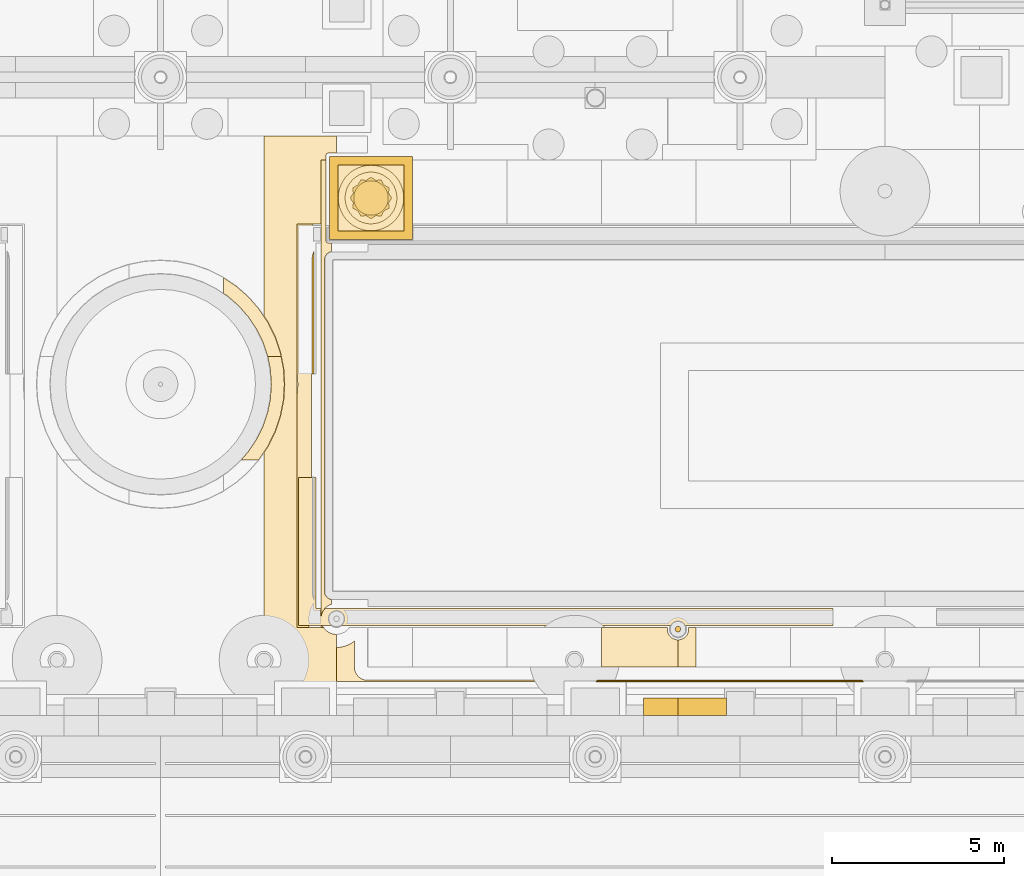
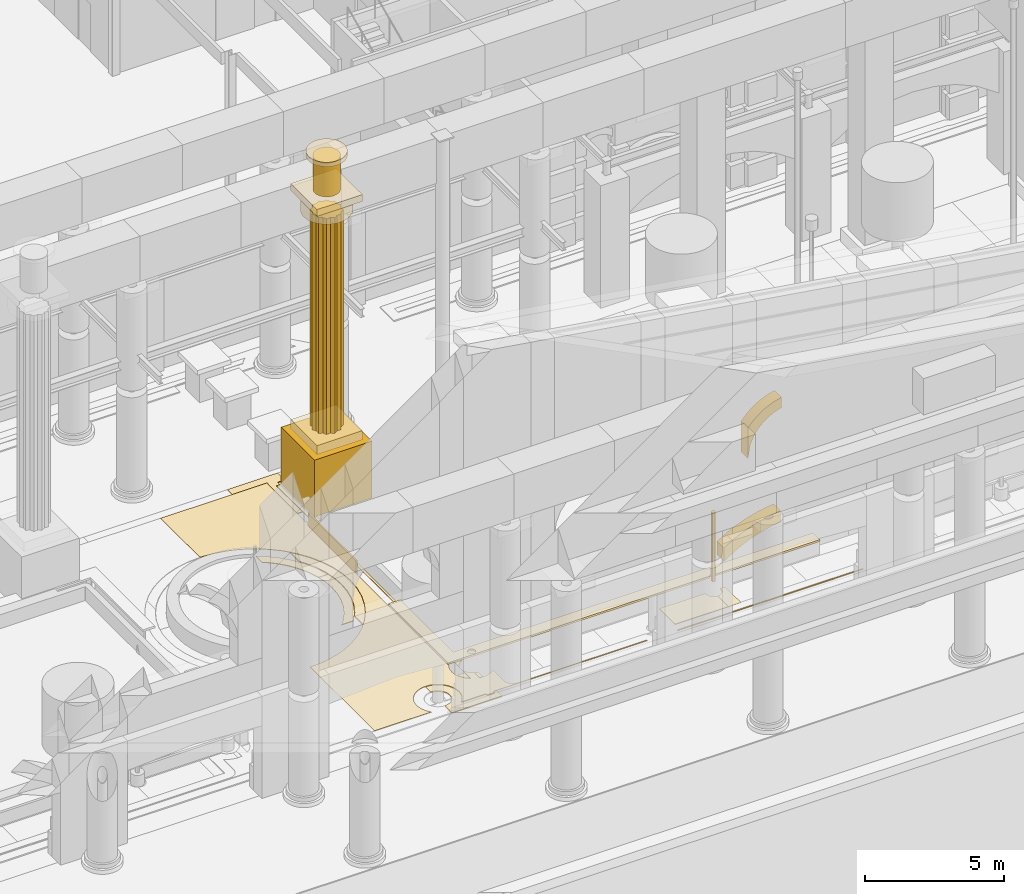
# One storey, part 125 of 222: 20 coverings.
"""IFC4 building model written with IfcOpenShell, lengths in metres."""

from ifc_helpers import new_model, si_unit, direction, frame, origin, origin_2d, place, context, subcontext, project, spatial, polyline, circle, outline, extrude, material, layer, layer_set, type_object, element, save


model = new_model("IFC4")

# Units and contexts
model_context = context("Model", 3, precision=1e-05, world=origin(), true_north=direction((0.0, 1.0)))
body_context = subcontext(model_context, "Body", "Model", "MODEL_VIEW")
ifc_project = project(units=[si_unit("LENGTHUNIT", "METRE"), si_unit("AREAUNIT", "SQUARE_METRE"), si_unit("VOLUMEUNIT", "CUBIC_METRE"), si_unit("PLANEANGLEUNIT", "RADIAN"), si_unit("MASSUNIT", "GRAM", prefix="KILO")], contexts=[model_context])

# Site, building, storey
site_placement = place(None, origin())
site = spatial("IfcSite", under=ifc_project, at=site_placement, CompositionType="ELEMENT")
building_placement = place(site_placement, origin())
building = spatial("IfcBuilding", under=site, at=building_placement, Name="Sava Quay Ferry Terminal", CompositionType="ELEMENT")
storey_placement = place(building_placement, origin())
storey = spatial("IfcBuildingStorey", under=building, at=storey_placement, Name="L00", CompositionType="ELEMENT", Elevation=0.0)

# Coverings
ifc_material_1 = material(Name="Limestone Mutalj", Category="masonry")
ifc_layer_1 = layer(ifc_material_1, 0.5)
ifc_layer_set_1 = layer_set([ifc_layer_1], Name="Limestone Mutalj")
covering_type_1 = type_object("IfcCoveringType", Name="Arch archivolt 500", PredefinedType="MOLDING", material=ifc_layer_set_1)
covering_1_placement = place(storey_placement, frame((77.0, 0.39990234375, 3.199951171875), z_axis=(0.0, -1.0, 0.0), x_axis=(0.807262114097, 0.0, 0.590193086324)))
element("IfcCovering", 1, at=covering_1_placement, inside=storey, type_object=covering_type_1, Name="Arch archivolt", PredefinedType="MOLDING", context=body_context, shape_type="SweptSolid", body=[
    extrude(outline(polyline([(0.0, 0.0), (0.20807213303693342, 0.0), (0.40946312569333504, -0.008724756359381552), (0.6048553291412851, -0.02606827834192732), (0.7947191130804292, -0.05055987286725966), (0.9793045583559503, -0.08268480563038433), (1.159082034667494, -0.12097238355092349), (1.3343016228602433, -0.16590787232388304), (1.5050544176750553, -0.2169530108861486), (1.6715756039617524, -0.2733724526975312), (1.8339711724565528, -0.33584854893011096), (1.9922792225322041, -0.40350186293473334), (2.1470380152518214, -0.47642348945225554), (2.2977092895522895, -0.5545223337418203), (2.4448313064967238, -0.6378894905442849), (2.741224660639209, -0.23248466420227665), (2.5951112744575355, -0.14773790906029127), (2.44602499135569, -0.06747112452290827), (2.293283460161593, 0.008209698673655286), (2.1372808518293933, 0.07901638031146774), (1.9776229954049414, 0.14523710060846096), (1.8145599717334213, 0.20638659386962865), (1.6475535197517182, 0.26255595483582816), (1.476800724936906, 0.3136010933980936), (1.3020664024391628, 0.35878666301623635), (1.1232445615222704, 0.39879501486233637), (0.9401530127045152, 0.4325496268101647), (0.7522534949227826, 0.46014159360057844), (0.5596519989132898, 0.4808885640614975), (0.3618102636129225, 0.49488163293377874), (0.0, 0.0)])), origin(), (0.0, 0.0, -1.0), 0.5),
])
ifc_material_2 = material(Name="Basalt setts", Category="masonry")
ifc_layer_2 = layer(ifc_material_2, 0.02001953125)
ifc_layer_set_2 = layer_set([ifc_layer_2], Name="Basalt setts")
covering_type_2 = type_object("IfcCoveringType", Name="Basalt inlay line 20", PredefinedType="FLOORING", material=ifc_layer_set_2)
covering_2_placement = place(storey_placement, frame((0.0, 0.0, 0.050048828125)))
element("IfcCovering", 2, at=covering_2_placement, inside=storey, type_object=covering_type_2, Name="Basalt inlay line", PredefinedType="FLOORING", context=body_context, shape_type="SweptSolid", body=[
    extrude(outline(polyline([(67.455078125, 16.820068359375), (63.0, 16.820068359375), (63.0, 13.97900390625), (63.02490234375, 13.97900390625), (63.4951171875, 13.947998046875), (63.5439453125, 13.94189453125), (64.006103515625, 13.85009765625), (64.053955078125, 13.8369140625), (64.5, 13.68603515625), (64.5458984375, 13.6669921875), (64.968017578125, 13.458984375), (65.010986328125, 13.43408203125), (65.403076171875, 13.172119140625), (65.44189453125, 13.14208984375), (65.7958984375, 12.83203125), (65.83203125, 12.7958984375), (66.14208984375, 12.44189453125), (66.172119140625, 12.403076171875), (66.43408203125, 12.011962890625), (66.458984375, 11.968017578125), (66.6669921875, 11.5458984375), (66.68603515625, 11.5), (66.8369140625, 11.053955078125), (66.85009765625, 11.006103515625), (66.94189453125, 10.5439453125), (66.947998046875, 10.4951171875), (66.97900390625, 10.02490234375), (66.97900390625, 9.97509765625), (66.947998046875, 9.5048828125), (66.94189453125, 9.4560546875), (66.85009765625, 8.993896484375), (66.8369140625, 8.946044921875), (66.68603515625, 8.5), (66.6669921875, 8.4541015625), (66.458984375, 8.031982421875), (66.43408203125, 7.988037109375), (66.172119140625, 7.596923828125), (66.14208984375, 7.55810546875), (65.83203125, 7.2041015625), (65.7958984375, 7.16796875), (65.44189453125, 6.85791015625), (65.403076171875, 6.827880859375), (65.010986328125, 6.56591796875), (64.968017578125, 6.541015625), (64.5458984375, 6.3330078125), (64.5, 6.31396484375), (64.053955078125, 6.1630859375), (64.006103515625, 6.14990234375), (63.5439453125, 6.05810546875), (63.4951171875, 6.052001953125), (63.02490234375, 6.02099609375), (63.0, 6.02099609375), (63.0, 1.3798828125), (65.3759765625, 1.3798828125), (65.35107421875, 1.406005859375), (65.319091796875, 1.443115234375), (65.2919921875, 1.47802734375), (65.263916015625, 1.51904296875), (65.22412109375, 1.5859375), (65.20703125, 1.62109375), (65.174072265625, 1.697998046875), (65.157958984375, 1.7451171875), (65.14599609375, 1.7890625), (65.135986328125, 1.8369140625), (65.125, 1.916015625), (65.1220703125, 1.947998046875), (65.1201171875, 1.9970703125), (65.12109375, 2.04296875), (65.125, 2.092041015625), (65.136962890625, 2.1708984375), (65.14599609375, 2.2109375), (65.158935546875, 2.258056640625), (65.1708984375, 2.294921875), (65.18896484375, 2.341064453125), (65.205078125, 2.3759765625), (65.241943359375, 2.446044921875), (65.26806640625, 2.488037109375), (65.297119140625, 2.528076171875), (65.327880859375, 2.56591796875), (65.375, 2.618896484375), (65.406005859375, 2.64892578125), (65.443115234375, 2.680908203125), (65.47802734375, 2.7080078125), (65.51904296875, 2.736083984375), (65.5859375, 2.77587890625), (65.62109375, 2.79296875), (65.697998046875, 2.825927734375), (65.7451171875, 2.842041015625), (65.7890625, 2.85400390625), (65.867919921875, 2.868896484375), (65.916015625, 2.875), (65.97900390625, 2.87890625), (66.02490234375, 2.87890625), (66.0859375, 2.875), (66.1220703125, 2.87109375), (66.1708984375, 2.863037109375), (66.2109375, 2.85400390625), (66.258056640625, 2.841064453125), (66.294921875, 2.8291015625), (66.341064453125, 2.81103515625), (66.3759765625, 2.794921875), (66.446044921875, 2.758056640625), (66.488037109375, 2.73193359375), (66.528076171875, 2.702880859375), (66.5830078125, 2.657958984375), (66.618896484375, 2.625), (66.64892578125, 2.593994140625), (66.680908203125, 2.556884765625), (66.7080078125, 2.52197265625), (66.751953125, 2.4560546875), (66.77587890625, 2.4140625), (66.79296875, 2.37890625), (66.81298828125, 2.333984375), (66.842041015625, 2.2548828125), (66.85400390625, 2.2109375), (66.864013671875, 2.1630859375), (66.875, 2.083984375), (66.8798828125, 2.0029296875), (66.87890625, 1.95703125), (66.87109375, 1.8779296875), (66.863037109375, 1.8291015625), (66.85400390625, 1.7890625), (66.841064453125, 1.741943359375), (66.8291015625, 1.705078125), (66.81103515625, 1.658935546875), (66.794921875, 1.6240234375), (66.77294921875, 1.5810546875), (66.73193359375, 1.511962890625), (66.702880859375, 1.471923828125), (66.657958984375, 1.4169921875), (66.6240234375, 1.3798828125), (67.64990234375, 1.3798828125), (67.64990234375, 1.300048828125), (67.949951171875, 1.300048828125), (67.949951171875, 1.3798828125), (74.3759765625, 1.3798828125), (74.340087890625, 1.419921875), (69.0, 1.419921875), (68.962890625, 1.422119140625), (68.926025390625, 1.427001953125), (68.889892578125, 1.43603515625), (68.85498046875, 1.448974609375), (68.821044921875, 1.465087890625), (68.7890625, 1.48388671875), (68.759033203125, 1.506103515625), (68.73095703125, 1.531005859375), (68.7060546875, 1.55908203125), (68.68408203125, 1.589111328125), (68.6650390625, 1.62109375), (68.64892578125, 1.655029296875), (68.635986328125, 1.68994140625), (68.626953125, 1.72607421875), (68.6220703125, 1.762939453125), (68.6201171875, 1.800048828125), (68.6201171875, 2.553955078125), (68.591064453125, 2.531982421875), (68.54296875, 2.4990234375), (68.49609375, 2.470947265625), (68.43701171875, 2.44189453125), (68.39404296875, 2.424072265625), (68.344970703125, 2.406982421875), (68.297119140625, 2.39404296875), (68.239013671875, 2.382080078125), (68.18603515625, 2.375), (68.1240234375, 2.37109375), (68.075927734375, 2.37109375), (68.013916015625, 2.375), (67.949951171875, 2.384033203125), (67.949951171875, 2.77587890625), (67.930908203125, 2.782958984375), (67.8720703125, 2.81201171875), (67.823974609375, 2.844970703125), (67.783935546875, 2.8798828125), (67.740966796875, 2.928955078125), (67.708984375, 2.97802734375), (67.68603515625, 3.02490234375), (67.6650390625, 3.0869140625), (67.654052734375, 3.137939453125), (67.64990234375, 3.197021484375), (67.64990234375, 2.5029296875), (67.60888671875, 2.531982421875), (67.573974609375, 2.55908203125), (67.533935546875, 2.593994140625), (67.498046875, 2.62890625), (67.455078125, 2.677978515625), (67.423095703125, 2.720947265625), (67.39111328125, 2.77001953125), (67.367919921875, 2.81103515625), (67.344970703125, 2.85791015625), (67.325927734375, 2.903076171875), (67.304931640625, 2.965087890625), (67.2939453125, 3.007080078125), (67.282958984375, 3.05810546875), (67.27490234375, 3.112060546875), (67.27099609375, 3.1708984375), (67.27099609375, 3.219970703125), (67.278076171875, 3.31396484375), (67.2939453125, 3.39306640625), (67.302978515625, 3.428955078125), (67.321044921875, 3.485107421875), (67.342041015625, 3.537109375), (67.37109375, 3.595947265625), (67.39697265625, 3.639892578125), (67.426025390625, 3.68310546875), (67.444091796875, 3.70703125), (67.4208984375, 3.751953125), (67.409912109375, 3.779052734375), (67.402099609375, 3.802001953125), (67.388916015625, 3.84912109375), (67.37890625, 3.89697265625), (67.373046875, 3.93603515625), (67.37109375, 3.97509765625), (67.3701171875, 13.60009765625), (67.3740234375, 13.672119140625), (67.388916015625, 13.7509765625), (67.402099609375, 13.798095703125), (67.4208984375, 13.847900390625), (67.45703125, 13.91796875), (67.472900390625, 13.945068359375), (67.4541015625, 13.98388671875), (67.44091796875, 14.01806640625), (67.431884765625, 14.052978515625), (67.422119140625, 14.111083984375), (67.419921875, 14.14990234375), (67.419921875, 16.64990234375), (67.423095703125, 16.699951171875), (67.431884765625, 16.7529296875), (67.443115234375, 16.7890625), (67.455078125, 16.820068359375)])), origin(), (0.0, 0.0, 1.0), 0.02001953125),
])
covering_3_placement = place(storey_placement, frame((0.0, 0.0, 0.050048828125)))
element("IfcCovering", 3, at=covering_3_placement, inside=storey, type_object=covering_type_2, Name="Basalt inlay line", PredefinedType="FLOORING", context=body_context, shape_type="SweptSolid", body=[
    extrude(outline(polyline([(67.800048828125, 16.5), (67.64990234375, 16.5), (67.64990234375, 3.197021484375), (67.654052734375, 3.261962890625), (67.6650390625, 3.31298828125), (67.68310546875, 3.368896484375), (67.7119140625, 3.427978515625), (67.740966796875, 3.470947265625), (67.780029296875, 3.51611328125), (67.8291015625, 3.55908203125), (67.8779296875, 3.591064453125), (67.925048828125, 3.614013671875), (67.949951171875, 3.6220703125), (67.949951171875, 3.7548828125), (67.927001953125, 3.760986328125), (67.904052734375, 3.76904296875), (67.861083984375, 3.7919921875), (67.841064453125, 3.806884765625), (67.822998046875, 3.822998046875), (67.806884765625, 3.841064453125), (67.7919921875, 3.861083984375), (67.76904296875, 3.904052734375), (67.760986328125, 3.927001953125), (67.7509765625, 3.97509765625), (67.75, 13.60009765625), (67.7509765625, 13.625), (67.760986328125, 13.673095703125), (67.76904296875, 13.696044921875), (67.7919921875, 13.739013671875), (67.806884765625, 13.759033203125), (67.822998046875, 13.777099609375), (67.841064453125, 13.79296875), (67.861083984375, 13.80810546875), (67.904052734375, 13.8310546875), (67.927001953125, 13.839111328125), (67.949951171875, 13.843994140625), (67.949951171875, 14.10009765625), (67.85009765625, 14.10009765625), (67.8349609375, 14.10205078125), (67.822021484375, 14.10791015625), (67.81103515625, 14.117919921875), (67.803955078125, 14.131103515625), (67.800048828125, 14.14990234375), (67.800048828125, 16.5)])), origin(), (0.0, 0.0, 1.0), 0.02001953125),
])
covering_4_placement = place(storey_placement, frame((0.0, 0.0, 0.050048828125)))
element("IfcCovering", 4, at=covering_4_placement, inside=storey, type_object=covering_type_2, Name="Basalt inlay line", PredefinedType="FLOORING", context=body_context, shape_type="SweptSolid", body=[
    extrude(outline(polyline([(75.6240234375, 1.3798828125), (83.3759765625, 1.3798828125), (83.340087890625, 1.419921875), (75.659912109375, 1.419921875), (75.6240234375, 1.3798828125)])), origin(), (0.0, 0.0, 1.0), 0.02001953125),
])
ifc_material_3 = material(Name="Limestone Mutalj", Category="masonry")
ifc_layer_3 = layer(ifc_material_3, 1.89990234375)
ifc_layer_set_3 = layer_set([ifc_layer_3], Name="Limestone Mutalj")
covering_type_3 = type_object("IfcCoveringType", Name="Beacon column base 1900", PredefinedType="MOLDING", material=ifc_layer_set_3)
covering_5_placement = place(storey_placement, frame((0.0, 0.0, 2.5)))
element("IfcCovering", 5, at=covering_5_placement, inside=storey, type_object=covering_type_3, Name="Beacon column base", PredefinedType="MOLDING", context=body_context, shape_type="SweptSolid", body=[
    extrude(outline(polyline([(70.050048828125, 14.449951171875), (70.050048828125, 16.35009765625), (68.14990234375, 16.35009765625), (68.14990234375, 14.449951171875), (70.050048828125, 14.449951171875)])), origin(), (0.0, 0.0, 1.0), 0.39990234375),
])
ifc_material_4 = material(Name="Limestone Mutalj", Category="masonry")
ifc_layer_4 = layer(ifc_material_4, 1.89990234375)
ifc_layer_set_4 = layer_set([ifc_layer_4], Name="Limestone Mutalj")
covering_type_4 = type_object("IfcCoveringType", Name="Beacon column capital 1900", PredefinedType="MOLDING", material=ifc_layer_set_4)
covering_6_placement = place(storey_placement, frame((0.0, 0.0, 12.39990234375)))
element("IfcCovering", 6, at=covering_6_placement, inside=storey, type_object=covering_type_4, Name="Beacon column capital", PredefinedType="MOLDING", context=body_context, shape_type="SweptSolid", body=[
    extrude(outline(polyline([(70.050048828125, 15.39990234375), (70.0419921875, 15.52392578125), (70.01806640625, 15.64599609375), (69.97802734375, 15.763916015625), (69.923095703125, 15.875), (69.85400390625, 15.97802734375), (69.77197265625, 16.072021484375), (69.677978515625, 16.154052734375), (69.574951171875, 16.222900390625), (69.464111328125, 16.278076171875), (69.345947265625, 16.318115234375), (69.22412109375, 16.342041015625), (69.10009765625, 16.35009765625), (68.97607421875, 16.342041015625), (68.85400390625, 16.318115234375), (68.736083984375, 16.278076171875), (68.625, 16.222900390625), (68.52197265625, 16.154052734375), (68.427978515625, 16.072021484375), (68.345947265625, 15.97802734375), (68.277099609375, 15.875), (68.221923828125, 15.763916015625), (68.181884765625, 15.64599609375), (68.157958984375, 15.52392578125), (68.14990234375, 15.39990234375), (68.157958984375, 15.27587890625), (68.181884765625, 15.154052734375), (68.221923828125, 15.035888671875), (68.277099609375, 14.925048828125), (68.345947265625, 14.822021484375), (68.427978515625, 14.72802734375), (68.52197265625, 14.64599609375), (68.625, 14.576904296875), (68.736083984375, 14.52197265625), (68.85400390625, 14.48193359375), (68.97607421875, 14.4580078125), (69.10009765625, 14.449951171875), (69.22412109375, 14.4580078125), (69.345947265625, 14.48193359375), (69.464111328125, 14.52197265625), (69.574951171875, 14.576904296875), (69.677978515625, 14.64599609375), (69.77197265625, 14.72802734375), (69.85400390625, 14.822021484375), (69.923095703125, 14.925048828125), (69.97802734375, 15.035888671875), (70.01806640625, 15.154052734375), (70.0419921875, 15.27587890625), (70.050048828125, 15.39990234375)])), origin(), (0.0, 0.0, 1.0), 0.60009765625),
])
covering_7_placement = place(storey_placement, frame((0.0, 0.0, 13.0)))
element("IfcCovering", 7, at=covering_7_placement, inside=storey, type_object=covering_type_4, Name="Beacon column abacus", PredefinedType="MOLDING", context=body_context, shape_type="SweptSolid", body=[
    extrude(outline(polyline([(70.050048828125, 14.449951171875), (70.050048828125, 16.35009765625), (68.14990234375, 16.35009765625), (68.14990234375, 14.449951171875), (70.050048828125, 14.449951171875)])), origin(), (0.0, 0.0, 1.0), 0.300048828125),
])
ifc_material_5 = material(Name="Limestone Mutalj", Category="masonry")
ifc_layer_5 = layer(ifc_material_5, 1.199951171875)
ifc_layer_set_5 = layer_set([ifc_layer_5], Name="Limestone Mutalj")
covering_type_5 = type_object("IfcCoveringType", Name="Beacon column fluted shaft 1200", PredefinedType="CLADDING", material=ifc_layer_set_5)
covering_8_placement = place(storey_placement, frame((0.0, 0.0, 2.89990234375)))
element("IfcCovering", 8, at=covering_8_placement, inside=storey, type_object=covering_type_5, Name="Beacon column fluted shaft", PredefinedType="CLADDING", context=body_context, shape_type="SweptSolid", body=[
    extrude(outline(polyline([(69.699951171875, 15.39990234375), (69.612060546875, 15.537109375), (69.6201171875, 15.699951171875), (69.47509765625, 15.77490234375), (69.39990234375, 15.919921875), (69.237060546875, 15.912109375), (69.10009765625, 16.0), (68.962890625, 15.912109375), (68.800048828125, 15.919921875), (68.72509765625, 15.77490234375), (68.580078125, 15.699951171875), (68.587890625, 15.537109375), (68.5, 15.39990234375), (68.587890625, 15.262939453125), (68.580078125, 15.10009765625), (68.72509765625, 15.02490234375), (68.800048828125, 14.8798828125), (68.962890625, 14.887939453125), (69.10009765625, 14.800048828125), (69.237060546875, 14.887939453125), (69.39990234375, 14.8798828125), (69.47509765625, 15.02490234375), (69.6201171875, 15.10009765625), (69.612060546875, 15.262939453125), (69.699951171875, 15.39990234375)])), origin(), (0.0, 0.0, 1.0), 9.5),
])
ifc_material_6 = material(Name="Limestone Mutalj", Category="masonry")
ifc_layer_6 = layer(ifc_material_6, 2.39990234375)
ifc_layer_set_6 = layer_set([ifc_layer_6], Name="Limestone Mutalj")
covering_type_6 = type_object("IfcCoveringType", Name="Beacon column plinth 2400", PredefinedType="MOLDING", material=ifc_layer_set_6)
covering_9_placement = place(storey_placement, origin())
element("IfcCovering", 9, at=covering_9_placement, inside=storey, type_object=covering_type_6, Name="Beacon column plinth", PredefinedType="MOLDING", context=body_context, shape_type="SweptSolid", body=[
    extrude(outline(polyline([(70.300048828125, 14.199951171875), (70.300048828125, 16.60009765625), (67.89990234375, 16.60009765625), (67.89990234375, 14.199951171875), (70.300048828125, 14.199951171875)])), origin(), (0.0, 0.0, 1.0), 2.5),
])
ifc_material_7 = material(Name="Glass lantern", Category="glass")
ifc_layer_7 = layer(ifc_material_7, 1.0)
ifc_layer_set_7 = layer_set([ifc_layer_7], Name="Glass lantern")
covering_type_7 = type_object("IfcCoveringType", Name="Beacon lantern 1000", PredefinedType="CLADDING", material=ifc_layer_set_7)
covering_10_placement = place(storey_placement, frame((69.10009765625, 15.39990234375, 14.800048828125), z_axis=(0.0, 0.0, -1.0), x_axis=(1.0, 0.0, 0.0)))
element("IfcCovering", 10, at=covering_10_placement, inside=storey, type_object=covering_type_7, Name="Beacon lantern", PredefinedType="CLADDING", context=body_context, shape_type="SweptSolid", body=[
    extrude(circle(Radius=0.5, at=origin_2d()), origin(), (0.0, 0.0, 1.0), 1.5),
])
ifc_material_8 = material(Name="Steel S355", Category="steel")
ifc_layer_8 = layer(ifc_material_8, 1.5)
ifc_layer_set_8 = layer_set([ifc_layer_8], Name="Steel S355")
covering_type_8 = type_object("IfcCoveringType", Name="Beacon lantern lid 1500", PredefinedType="MOLDING", material=ifc_layer_set_8)
covering_11_placement = place(storey_placement, frame((69.10009765625, 15.39990234375, 15.0), z_axis=(0.0, 0.0, -1.0), x_axis=(1.0, 0.0, 0.0)))
element("IfcCovering", 11, at=covering_11_placement, inside=storey, type_object=covering_type_8, Name="Beacon lantern lid", PredefinedType="MOLDING", context=body_context, shape_type="SweptSolid", body=[
    extrude(circle(Radius=0.75, at=origin_2d()), origin(), (0.0, 0.0, 1.0), 0.199951171875),
])
ifc_material_9 = material(Name="Limestone Mutalj", Category="masonry")
ifc_layer_9 = layer(ifc_material_9, 0.030029296875)
ifc_layer_set_9 = layer_set([ifc_layer_9], Name="Limestone Mutalj")
covering_type_9 = type_object("IfcCoveringType", Name="Court paving tile 30", PredefinedType="FLOORING", material=ifc_layer_set_9)
covering_12_placement = place(storey_placement, origin())
element("IfcCovering", 12, at=covering_12_placement, inside=storey, type_object=covering_type_9, Name="Limestone paving tile", PredefinedType="FLOORING", context=body_context, shape_type="SweptSolid", body=[
    extrude(outline(polyline([(64.820068359375, 13.093017578125), (64.820068359375, 12.635986328125), (64.955078125, 12.547119140625), (65.27001953125, 12.27099609375), (65.547119140625, 11.9541015625), (65.779052734375, 11.60595703125), (65.965087890625, 11.22900390625), (66.10009765625, 10.8310546875), (66.10693359375, 10.800048828125), (66.492919921875, 10.800048828125), (66.467041015625, 10.928955078125), (66.31689453125, 11.3740234375), (66.10888671875, 11.794921875), (65.847900390625, 12.18603515625), (65.5390625, 12.5390625), (65.18603515625, 12.847900390625), (64.820068359375, 13.093017578125)])), origin(), (0.0, 0.0, 1.0), 0.030029296875),
])
ifc_material_10 = material(Name="Red sandstone Vrsac", Category="masonry")
ifc_layer_10 = layer(ifc_material_10, 0.030029296875)
ifc_layer_set_10 = layer_set([ifc_layer_10], Name="Red sandstone Vrsac")
covering_type_10 = type_object("IfcCoveringType", Name="Court paving tile sandstone 30", PredefinedType="FLOORING", material=ifc_layer_set_10)
covering_13_placement = place(storey_placement, origin())
element("IfcCovering", 13, at=covering_13_placement, inside=storey, type_object=covering_type_10, Name="Sandstone paving tile", PredefinedType="FLOORING", context=body_context, shape_type="SweptSolid", body=[
    extrude(outline(polyline([(66.492919921875, 10.800048828125), (66.10693359375, 10.800048828125), (66.18310546875, 10.4189453125), (66.2099609375, 9.9990234375), (66.18310546875, 9.5810546875), (66.10107421875, 9.169921875), (65.965087890625, 8.77197265625), (65.780029296875, 8.39599609375), (65.547119140625, 8.0458984375), (65.3310546875, 7.800048828125), (65.8359375, 7.800048828125), (65.847900390625, 7.81396484375), (66.10888671875, 8.205078125), (66.31689453125, 8.6259765625), (66.467041015625, 9.071044921875), (66.55908203125, 9.531005859375), (66.590087890625, 10.0), (66.55908203125, 10.468994140625), (66.492919921875, 10.800048828125)])), origin(), (0.0, 0.0, 1.0), 0.030029296875),
])
covering_14_placement = place(storey_placement, origin())
element("IfcCovering", 14, at=covering_14_placement, inside=storey, type_object=covering_type_10, Name="Sandstone paving tile", PredefinedType="FLOORING", context=body_context, shape_type="SweptSolid", body=[
    extrude(outline(polyline([(75.780029296875, 2.949951171875), (75.780029296875, 1.81005859375), (78.0, 1.81005859375), (78.0, 2.590087890625), (77.968994140625, 2.592041015625), (77.93896484375, 2.595947265625), (77.881103515625, 2.614013671875), (77.85302734375, 2.626953125), (77.826904296875, 2.64306640625), (77.802978515625, 2.660888671875), (77.780029296875, 2.680908203125), (77.760009765625, 2.7041015625), (77.741943359375, 2.72802734375), (77.72607421875, 2.75390625), (77.712890625, 2.781982421875), (77.702880859375, 2.81005859375), (77.69091796875, 2.8701171875), (77.68994140625, 2.89990234375), (77.695068359375, 2.949951171875), (75.780029296875, 2.949951171875)])), origin(), (0.0, 0.0, 1.0), 0.030029296875),
])
covering_15_placement = place(storey_placement, origin())
element("IfcCovering", 15, at=covering_15_placement, inside=storey, type_object=covering_type_10, Name="Sandstone paving tile", PredefinedType="FLOORING", context=body_context, shape_type="SweptSolid", body=[
    extrude(outline(polyline([(78.0, 2.590087890625), (78.0, 1.81005859375), (78.52001953125, 1.81005859375), (78.52001953125, 2.949951171875), (78.305908203125, 2.949951171875), (78.30908203125, 2.929931640625), (78.31005859375, 2.89990234375), (78.30810546875, 2.868896484375), (78.303955078125, 2.839111328125), (78.285888671875, 2.781005859375), (78.27294921875, 2.7529296875), (78.257080078125, 2.72705078125), (78.239013671875, 2.702880859375), (78.218994140625, 2.679931640625), (78.196044921875, 2.659912109375), (78.172119140625, 2.64208984375), (78.14599609375, 2.6259765625), (78.117919921875, 2.613037109375), (78.090087890625, 2.60302734375), (78.030029296875, 2.591064453125), (78.0, 2.590087890625)])), origin(), (0.0, 0.0, 1.0), 0.030029296875),
])
ifc_material_11 = material(Name="Limestone Mutalj", Category="masonry")
ifc_layer_11 = layer(ifc_material_11, 0.080078125)
ifc_layer_set_11 = layer_set([ifc_layer_11], Name="Limestone Mutalj")
covering_type_11 = type_object("IfcCoveringType", Name="Garden bed wall coping 450", PredefinedType="MOLDING", material=ifc_layer_set_11)
covering_16_placement = place(storey_placement, frame((0.0, 0.0, 0.60009765625)))
element("IfcCovering", 16, at=covering_16_placement, inside=storey, type_object=covering_type_11, Name="Garden bed wall coping", PredefinedType="MOLDING", context=body_context, shape_type="SweptSolid", body=[
    extrude(outline(polyline([(67.5, 7.300048828125), (67.0, 7.300048828125), (67.0, 3.0), (77.887939453125, 3.0), (77.904052734375, 3.014892578125), (77.916015625, 3.02392578125), (77.94189453125, 3.0380859375), (77.971923828125, 3.047119140625), (78.0009765625, 3.050048828125), (78.030029296875, 3.047119140625), (78.05810546875, 3.0380859375), (78.083984375, 3.02392578125), (78.095947265625, 3.014892578125), (78.112060546875, 3.0), (82.5, 3.0), (82.5, 3.5), (67.5, 3.5), (67.5, 7.300048828125)]), holes=[polyline([(68.2490234375, 3.18603515625), (68.243896484375, 3.156982421875), (68.23291015625, 3.1298828125), (68.217041015625, 3.10595703125), (68.196044921875, 3.0849609375), (68.172119140625, 3.068115234375), (68.14404296875, 3.056884765625), (68.115966796875, 3.051025390625), (68.0859375, 3.051025390625), (68.056884765625, 3.055908203125), (68.030029296875, 3.06689453125), (68.006103515625, 3.0830078125), (67.985107421875, 3.10400390625), (67.968017578125, 3.1279296875), (67.95703125, 3.156005859375), (67.950927734375, 3.18408203125), (67.950927734375, 3.214111328125), (67.9560546875, 3.242919921875), (67.967041015625, 3.27001953125), (67.98291015625, 3.2939453125), (68.00390625, 3.31494140625), (68.028076171875, 3.33203125), (68.055908203125, 3.343017578125), (68.083984375, 3.34912109375), (68.114013671875, 3.34912109375), (68.14306640625, 3.343994140625), (68.169921875, 3.3330078125), (68.194091796875, 3.31689453125), (68.215087890625, 3.2958984375), (68.23193359375, 3.27197265625), (68.242919921875, 3.243896484375), (68.2490234375, 3.216064453125), (68.2490234375, 3.18603515625)])]), origin(), (0.0, 0.0, 1.0), 0.079833984375),
])
ifc_material_12 = material(Name="Steel S355", Category="steel")
ifc_layer_12 = layer(ifc_material_12, 0.159912109375)
ifc_layer_set_12 = layer_set([ifc_layer_12], Name="Steel S355")
covering_type_12 = type_object("IfcCoveringType", Name="Lamp standard column 160", PredefinedType="CLADDING", material=ifc_layer_set_12)
covering_17_placement = place(storey_placement, frame((78.0, 2.89990234375, 3.550048828125), z_axis=(0.0, 0.0, -1.0), x_axis=(1.0, 0.0, 0.0)))
element("IfcCovering", 17, at=covering_17_placement, inside=storey, type_object=covering_type_12, Name="Lamp standard column", PredefinedType="CLADDING", context=body_context, shape_type="SweptSolid", body=[
    extrude(circle(Radius=0.080078125, at=origin_2d()), origin(), (0.0, 0.0, 1.0), 3.050048828125),
])
ifc_material_13 = material(Name="Limestone Mutalj", Category="masonry")
ifc_layer_13 = layer(ifc_material_13, 0.39990234375)
ifc_layer_set_13 = layer_set([ifc_layer_13], Name="Limestone Mutalj")
covering_type_13 = type_object("IfcCoveringType", Name="Retaining wall 400", PredefinedType="CLADDING", material=ifc_layer_set_13)
covering_18_placement = place(storey_placement, origin())
element("IfcCovering", 18, at=covering_18_placement, inside=storey, type_object=covering_type_13, Name="Retaining wall", PredefinedType="CLADDING", context=body_context, shape_type="SweptSolid", body=[
    extrude(outline(polyline([(67.449951171875, 10.300048828125), (67.449951171875, 13.861083984375), (67.43896484375, 13.840087890625), (67.4208984375, 13.7919921875), (67.407958984375, 13.74609375), (67.39404296875, 13.669921875), (67.389892578125, 13.59912109375), (67.389892578125, 10.300048828125), (67.449951171875, 10.300048828125)])), origin(), (0.0, 0.0, 1.0), 0.60009765625),
])
ifc_material_14 = material(Name="Limestone Mutalj", Category="masonry")
ifc_layer_14 = layer(ifc_material_14, 0.050048828125)
ifc_layer_set_14 = layer_set([ifc_layer_14], Name="Limestone Mutalj")
covering_type_14 = type_object("IfcCoveringType", Name="Stone paving band 50", PredefinedType="FLOORING", material=ifc_layer_set_14)
covering_19_placement = place(storey_placement, origin())
element("IfcCovering", 19, at=covering_19_placement, inside=storey, type_object=covering_type_14, Name="Stone paving band", PredefinedType="FLOORING", context=body_context, shape_type="SweptSolid", body=[
    extrude(outline(polyline([(67.783935546875, 2.8798828125), (67.740966796875, 2.928955078125), (67.72705078125, 2.949951171875), (66.949951171875, 2.949951171875), (66.949951171875, 14.64990234375), (67.800048828125, 14.64990234375), (67.800048828125, 16.64990234375), (67.802001953125, 16.6650390625), (67.80810546875, 16.677978515625), (67.818115234375, 16.68896484375), (67.8349609375, 16.697998046875), (67.85009765625, 16.699951171875), (68.10009765625, 16.699951171875), (68.10009765625, 17.199951171875), (66.0, 17.199951171875), (66.0, 11.97607421875), (66.117919921875, 11.800048828125), (66.325927734375, 11.3779296875), (66.47705078125, 10.931884765625), (66.569091796875, 10.469970703125), (66.60009765625, 10.0), (66.569091796875, 9.530029296875), (66.47705078125, 9.068115234375), (66.325927734375, 8.6220703125), (66.117919921875, 8.199951171875), (66.0, 8.02392578125), (66.0, 2.5), (66.06103515625, 2.49609375), (66.110107421875, 2.488037109375), (66.156982421875, 2.47509765625), (66.202880859375, 2.45703125), (66.24609375, 2.43505859375), (66.2880859375, 2.408935546875), (66.325927734375, 2.3779296875), (66.362060546875, 2.344970703125), (66.39404296875, 2.30810546875), (66.422119140625, 2.26708984375), (66.446044921875, 2.22509765625), (66.466064453125, 2.179931640625), (66.48193359375, 2.133056640625), (66.491943359375, 2.0849609375), (66.498046875, 2.037109375), (66.5, 1.988037109375), (66.49609375, 1.93896484375), (66.488037109375, 1.889892578125), (66.47509765625, 1.843017578125), (66.45703125, 1.797119140625), (66.43505859375, 1.75390625), (66.408935546875, 1.7119140625), (66.3779296875, 1.674072265625), (66.344970703125, 1.637939453125), (66.30810546875, 1.60595703125), (66.26708984375, 1.577880859375), (66.22509765625, 1.553955078125), (66.179931640625, 1.533935546875), (66.133056640625, 1.51806640625), (66.0849609375, 1.508056640625), (66.037109375, 1.501953125), (66.0, 1.5), (66.0, 1.0), (68.10009765625, 1.0), (68.10009765625, 2.75), (68.0380859375, 2.75390625), (67.97998046875, 2.76611328125), (67.930908203125, 2.782958984375), (67.8720703125, 2.81201171875), (67.823974609375, 2.844970703125), (67.783935546875, 2.8798828125)])), origin(), (0.0, 0.0, 1.0), 0.050048828125),
])
ifc_material_15 = material(Name="Limestone Mutalj", Category="masonry")
ifc_layer_15 = layer(ifc_material_15, 0.5)
ifc_layer_set_15 = layer_set([ifc_layer_15], Name="Limestone Mutalj")
covering_type_15 = type_object("IfcCoveringType", Name="Window archivolt 450", PredefinedType="MOLDING", material=ifc_layer_set_15)
covering_20_placement = place(storey_placement, frame((78.0, 0.39990234375, 7.39990234375), z_axis=(0.0, -1.0, 0.0), x_axis=(0.166773131648, 0.0, 0.985995295405)))
element("IfcCovering", 20, at=covering_20_placement, inside=storey, type_object=covering_type_15, Name="Window archivolt", PredefinedType="MOLDING", context=body_context, shape_type="SweptSolid", body=[
    extrude(outline(polyline([(0.0, 0.0), (0.600202534188676, 0.0), (0.8465037360100364, -0.05961194048531798), (1.0312209479651981, -0.12988792320633322), (1.182437154258031, -0.2055827218462288), (1.3110662549267451, -0.28534555507361514), (1.423085571566425, -0.3679177989659783), (1.5215837676801505, -0.4525294227599309), (1.6092902120454475, -0.5392139924082746), (1.6870863584997977, -0.6273272005092998), (1.7567386897900579, -0.7170654774021836), (1.8186879328349692, -0.8081066693860715), (1.873615536060939, -0.9000879066635139), (1.9218436531688226, -0.993449916153252), (1.964013016488433, -1.0875891065501695), (2.4168101724103566, -1.011002128857105), (2.3799366822594235, -0.9159671843351223), (2.338448767366221, -0.8214651241407559), (2.2919464169086012, -0.728058823482528), (2.2403481986933778, -0.635266839345104), (2.183454107309477, -0.5433706093327452), (2.120823415838158, -0.4526922871463064), (2.0521339705785664, -0.362791145867047), (1.9767450392008878, -0.2742707768000832), (1.894093746496601, -0.18673116912326815), (1.8034986440392982, -0.10053519263405081), (1.7037968403872368, -0.01612714932306758), (1.5932218527935595, 0.06668939114885883), (1.4699293413901169, 0.14710725699364308), (1.3311899373993823, 0.22516001416408696), (0.0, 0.0)])), origin(), (0.0, 0.0, -1.0), 0.5),
])

save(model, "model.ifc")
